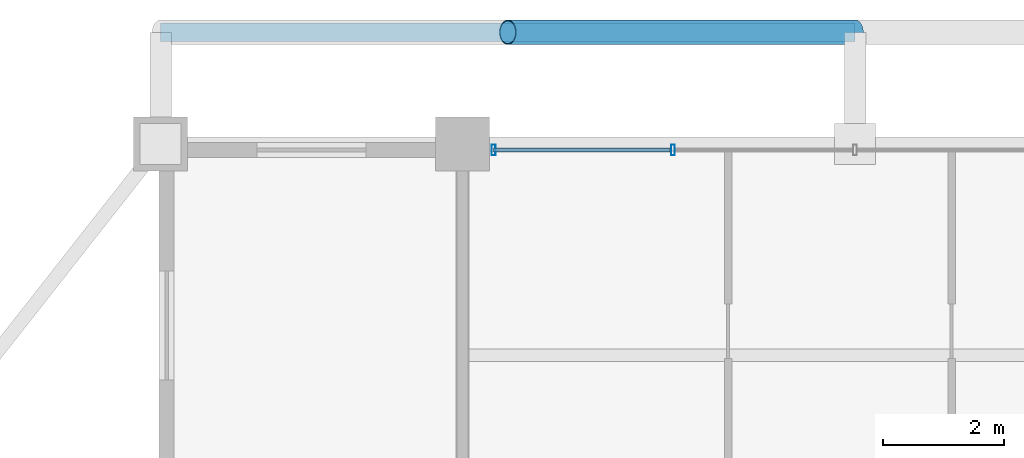
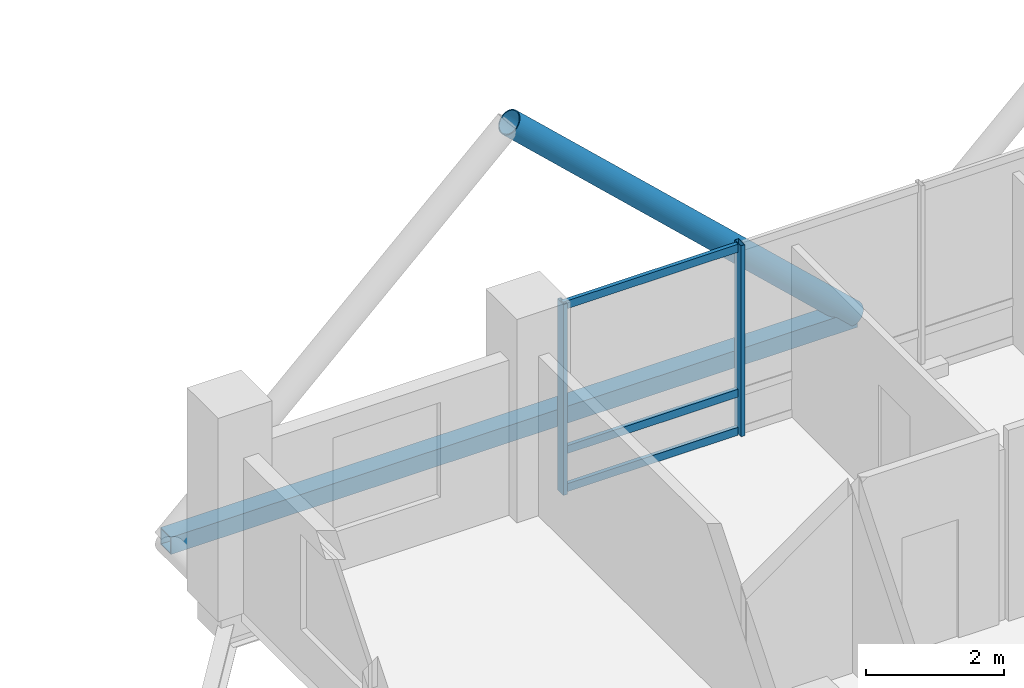
# One storey, part 15 of 24: 7 members, 1 element without a shape of its own.
"""IFC4 building model written with IfcOpenShell, lengths in metres."""

from ifc_helpers import new_model, si_unit, direction, frame, origin, origin_2d, place, context, subcontext, project, spatial, hollow_rectangle, hollow_circle, extrude, material, layer, layer_set, material_profile, profile_set, type_object, element, aggregate, save


model = new_model("IFC4")

# Units and contexts
model_context = context("Model", 3, precision=1e-05, world=origin(), true_north=direction((0.0, 1.0)))
body_context = subcontext(model_context, "Body", "Model", "MODEL_VIEW")
ifc_project = project(units=[si_unit("LENGTHUNIT", "METRE"), si_unit("AREAUNIT", "SQUARE_METRE"), si_unit("VOLUMEUNIT", "CUBIC_METRE"), si_unit("PLANEANGLEUNIT", "RADIAN"), si_unit("MASSUNIT", "GRAM", prefix="KILO")], contexts=[model_context])

# Site, building, storey
site_placement = place(None, origin())
site = spatial("IfcSite", under=ifc_project, at=site_placement, CompositionType="ELEMENT")
building_placement = place(site_placement, origin())
building = spatial("IfcBuilding", under=site, at=building_placement, Name="Barlavira Tower and Art Museum", CompositionType="ELEMENT")
storey_placement = place(building_placement, frame((0.0, 0.0, 251.10009765625)))
storey = spatial("IfcBuildingStorey", under=building, at=storey_placement, Name="L65", CompositionType="ELEMENT", Elevation=251.10009765625)

# Curtain wall, members
ifc_material_1 = material(Name="Low-iron coastal laminated glass", Category="glass")
ifc_layer = layer(ifc_material_1, 0.2099609375, Name="Low-iron coastal laminated glass")
ifc_layer_set = layer_set([ifc_layer], Name="Low-iron coastal laminated glass")
curtain_wall_type = type_object("IfcCurtainWallType", Name="Pale-Metal Unitised Curtain Wall Zone 4", PredefinedType="NOTDEFINED", material=ifc_layer_set)
curtain_wall_placement = place(storey_placement, origin())
curtain_wall = element("IfcCurtainWall", 1, at=curtain_wall_placement, inside=storey, type_object=curtain_wall_type, Name="L65 Curtain Wall CW4-L65-N-B2", PredefinedType="NOTDEFINED")
ifc_material_2 = material(Name="Pale anodised aluminium", Category="aluminium")
ifc_material_profile_1 = material_profile(ifc_material_2, hollow_rectangle(XDim=0.06494140625, YDim=0.179931640625, WallThickness=0.00390625, at=origin_2d()), Name="ALU-MULL 65x180x4")
ifc_profile_set_1 = profile_set([ifc_material_profile_1], Name="Pale anodised aluminium")
member_type_1 = type_object("IfcMemberType", Name="Curtain Wall Pale-Metal Mullion 65x180", PredefinedType="MULLION", material=ifc_profile_set_1)
member_1_placement = place(storey_placement, frame((-3.014892578125, 19.89990234375, 0.0), z_axis=(0.0, 0.0, 1.0), x_axis=(-1.0, 0.0, 0.0)))
member_1 = element("IfcMember", 2, at=member_1_placement, type_object=member_type_1, Name="CW4-L65-N-B2 Mullion 3", PredefinedType="MULLION", context=body_context, shape_type="SweptSolid", body=[
    extrude(hollow_rectangle(XDim=0.06494140625, YDim=0.179931640625, WallThickness=0.00390625, at=origin_2d()), origin(), (0.0, 0.0, 1.0), 3.3798828125),
])
member_2_placement = place(storey_placement, frame((-5.985107421875, 19.89990234375, 0.0), z_axis=(0.0, 0.0, 1.0), x_axis=(-1.0, 0.0, 0.0)))
member_2 = element("IfcMember", 3, at=member_2_placement, type_object=member_type_1, Name="CW4-L65-N-B2 Mullion 4", PredefinedType="MULLION", context=body_context, shape_type="SweptSolid", body=[
    extrude(hollow_rectangle(XDim=0.06494140625, YDim=0.179931640625, WallThickness=0.00390625, at=origin_2d()), origin(), (0.0, 0.0, 1.0), 3.3798828125),
])
ifc_material_profile_2 = material_profile(ifc_material_2, hollow_rectangle(XDim=0.06494140625, YDim=0.139892578125, WallThickness=0.00390625, at=origin_2d()), Name="ALU-TRAN 65x140x4")
ifc_profile_set_2 = profile_set([ifc_material_profile_2], Name="Pale anodised aluminium")
member_type_2 = type_object("IfcMemberType", Name="Curtain Wall Pale-Metal Transom 65x140", PredefinedType="USERDEFINED", material=ifc_profile_set_2)
member_3_placement = place(storey_placement, frame((-3.06005859375, 19.89990234375, 0.06982421875), z_axis=(-1.0, 0.0, 0.0), x_axis=(0.0, -1.0, 0.0)))
member_3 = element("IfcMember", 4, at=member_3_placement, type_object=member_type_2, Name="CW4-L65-N-B2 Transom 3.1", ObjectType="TRANSOM", PredefinedType="USERDEFINED", context=body_context, shape_type="SweptSolid", body=[
    extrude(hollow_rectangle(XDim=0.06494140625, YDim=0.139892578125, WallThickness=0.00390625, at=origin_2d()), origin(), (0.0, 0.0, 1.0), 2.925048828125),
])
member_4_placement = place(storey_placement, frame((-3.06005859375, 19.89990234375, 0.743896484375), z_axis=(-1.0, 0.0, 0.0), x_axis=(0.0, -1.0, 0.0)))
member_4 = element("IfcMember", 5, at=member_4_placement, type_object=member_type_2, Name="CW4-L65-N-B2 Transom 3.2", ObjectType="TRANSOM", PredefinedType="USERDEFINED", context=body_context, shape_type="SweptSolid", body=[
    extrude(hollow_rectangle(XDim=0.06494140625, YDim=0.139892578125, WallThickness=0.00390625, at=origin_2d()), origin(), (0.0, 0.0, 1.0), 2.925048828125),
])
member_5_placement = place(storey_placement, frame((-3.06005859375, 19.89990234375, 3.309814453125), z_axis=(-1.0, 0.0, 0.0), x_axis=(0.0, -1.0, 0.0)))
member_5 = element("IfcMember", 6, at=member_5_placement, type_object=member_type_2, Name="CW4-L65-N-B2 Transom 3.3", ObjectType="TRANSOM", PredefinedType="USERDEFINED", context=body_context, shape_type="SweptSolid", body=[
    extrude(hollow_rectangle(XDim=0.06494140625, YDim=0.139892578125, WallThickness=0.00390625, at=origin_2d()), origin(), (0.0, 0.0, 1.0), 2.925048828125),
])
aggregate(curtain_wall, [member_1, member_2, member_3, member_4, member_5])

# Members
ifc_material_3 = material(Name="Steel S355", Category="steel")
ifc_material_profile_3 = material_profile(ifc_material_3, hollow_circle(Radius=0.203125, WallThickness=0.01611328125, at=origin_2d()), Name="CHS 406.4x16.0")
ifc_profile_set_3 = profile_set([ifc_material_profile_3], Name="Steel S355")
member_type_3 = type_object("IfcMemberType", Name="Pale-Metal Exoskeleton Diagrid Tube CHS 406x16 Steel S355", PredefinedType="BRACE", material=ifc_profile_set_3)
member_6_placement = place(storey_placement, frame((0.0, 21.85009765625, -0.1201171875), z_axis=(-0.728950095515, 0.0, 0.684566839869), x_axis=(0.0, -1.0, 0.0)))
element("IfcMember", 7, at=member_6_placement, inside=storey, type_object=member_type_3, Name="L65 Exoskeleton Diagrid Tube N", PredefinedType="BRACE", context=body_context, shape_type="SweptSolid", body=[
    extrude(hollow_circle(Radius=0.203125, WallThickness=0.01611328125, at=origin_2d()), origin(), (0.0, 0.0, 1.0), 7.887939453125),
])
ifc_material_profile_4 = material_profile(ifc_material_3, hollow_rectangle(XDim=0.300048828125, YDim=0.300048828125, WallThickness=0.01611328125, at=origin_2d()), Name="SHS 300x300x16.0")
ifc_profile_set_4 = profile_set([ifc_material_profile_4], Name="Steel S355")
member_type_4 = type_object("IfcMemberType", Name="Pale-Metal Upper Ring Strut SHS 300x300x16 Steel S355", PredefinedType="STRUT", material=ifc_profile_set_4)
member_7_placement = place(storey_placement, frame((-11.5, 21.85009765625, -0.1201171875), z_axis=(1.0, 0.0, 0.0), x_axis=(0.0, 1.0, 0.0)))
element("IfcMember", 8, at=member_7_placement, inside=storey, type_object=member_type_4, Name="L65 Exoskeleton Ring Strut N", PredefinedType="STRUT", context=body_context, shape_type="SweptSolid", body=[
    extrude(hollow_rectangle(XDim=0.300048828125, YDim=0.300048828125, WallThickness=0.01611328125, at=origin_2d()), origin(), (0.0, 0.0, 1.0), 11.5),
])

save(model, "model.ifc")
